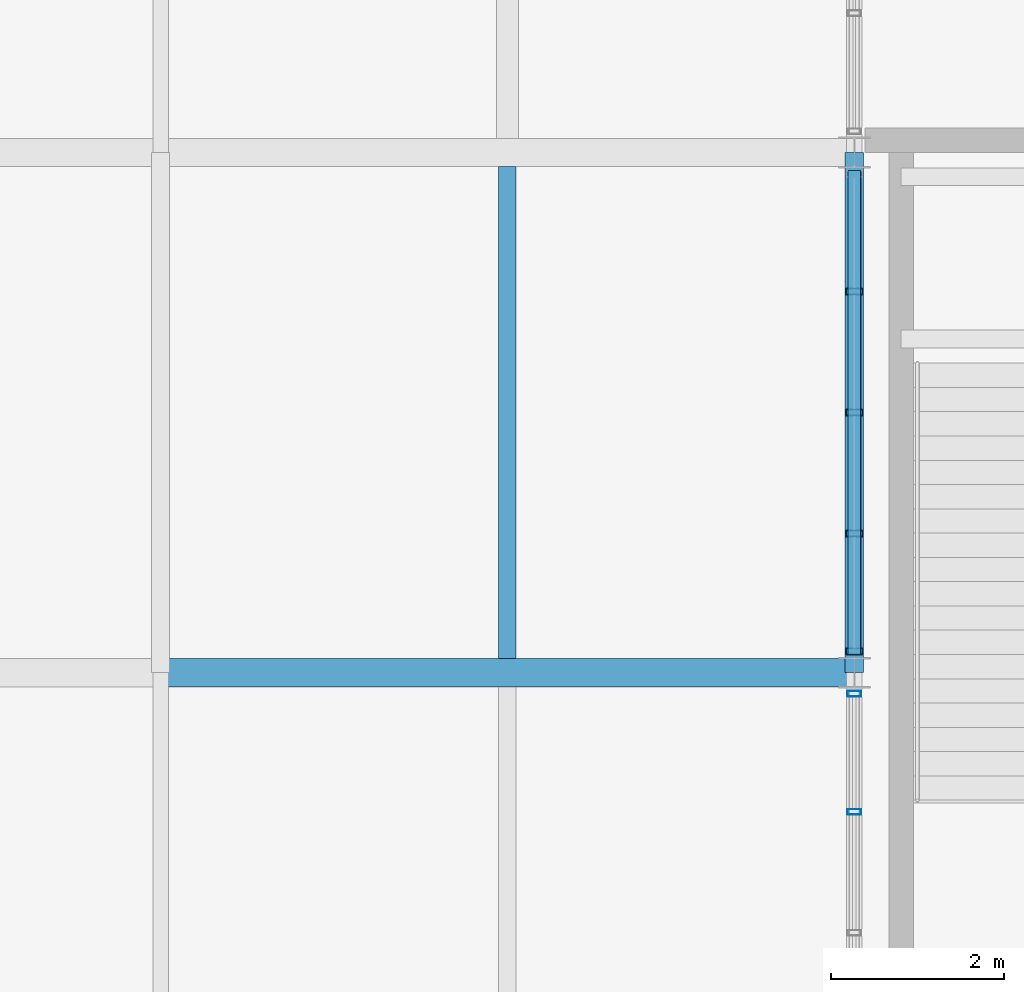
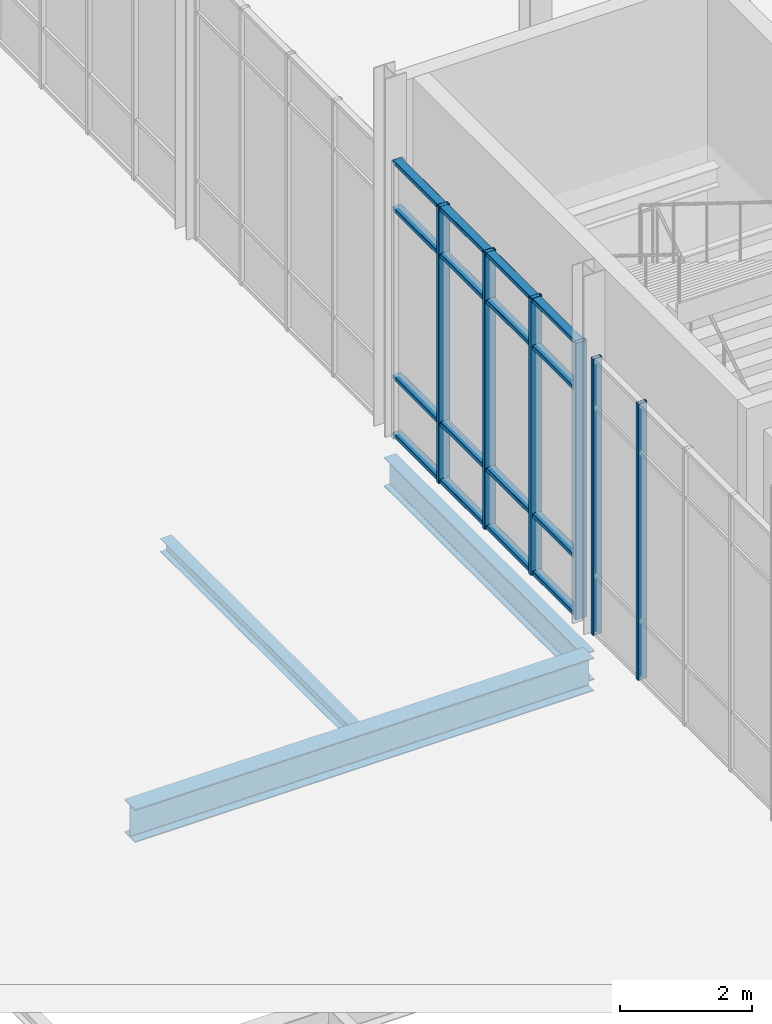
# One storey, part 72 of 140: 10 members, 3 beams, 2 elements without a shape of their own.
"""IFC4 building model written with IfcOpenShell, lengths in metres."""

import ifcopenshell
import ifcopenshell.guid

model = None  # the IFC model being written
_history = None  # IfcOwnerHistory: only IFC2X3 demands one
_inside = {}  # id of a spatial element -> (the spatial element, [elements in it])
_under = {}  # id of a project, library or spatial element -> (it, [spatial elements below it])
_declared = {}  # id of a project -> (the project, [libraries it declares])
_typed = {}  # id of a type object -> (the type object, [elements of that type])
_made_of = {}  # id of a material, layer set ... -> (it, [elements and type objects made of it])


def new_model(schema):
    """Start an empty IFC model of exactly this schema.

    Asked for "IFC4X3", IfcOpenShell would pick the latest addendum, in which some entities
    have other attributes; the version numbers below select the first issue.
    IFC2X3 requires an IfcOwnerHistory on every rooted entity: one is made here for all.
    """
    global model, _history
    if schema == "IFC4X3":
        model = ifcopenshell.file(schema_version=(4, 3, 0, 0))
    else:
        model = ifcopenshell.file(schema=schema)
    _inside.clear()
    _under.clear()
    _declared.clear()
    _typed.clear()
    _made_of.clear()
    _history = None
    if model.schema == "IFC2X3":
        org = make("IfcOrganization", Name="unknown")
        user = make(
            "IfcPersonAndOrganization",
            ThePerson=make("IfcPerson", FamilyName="unknown"),
            TheOrganization=org,
        )
        app = make(
            "IfcApplication",
            ApplicationDeveloper=org,
            Version="unknown",
            ApplicationFullName="unknown",
            ApplicationIdentifier="unknown",
        )
        _history = make(
            "IfcOwnerHistory",
            OwningUser=user,
            OwningApplication=app,
            ChangeAction="ADDED",
            CreationDate=0,
        )
    return model


def make(cls, **values):
    """One entity of the class cls with the attributes given. An attribute that is None is left unset."""
    return model.create_entity(
        cls, **{name: value for name, value in values.items() if value is not None}
    )


def rooted(cls, **values):
    """An entity with a GlobalId (a new one), such as an element, a storey or a relation."""
    return make(cls, GlobalId=ifcopenshell.guid.new(), OwnerHistory=_history, **values)


def si_unit(unit_type, name, prefix=None):
    """IfcSIUnit, for example si_unit("LENGTHUNIT", "METRE", prefix="MILLI")."""
    return make("IfcSIUnit", UnitType=unit_type, Prefix=prefix, Name=name)


def assignment(units):
    """IfcUnitAssignment: the units of a project."""
    return None if units is None else make("IfcUnitAssignment", Units=units)


def point(xyz):
    """IfcCartesianPoint."""
    return None if xyz is None else make("IfcCartesianPoint", Coordinates=xyz)


def direction(xyz):
    """IfcDirection."""
    return None if xyz is None else make("IfcDirection", DirectionRatios=xyz)


def frame(location, z_axis=None, x_axis=None):
    """IfcAxis2Placement3D, a coordinate frame: its origin and axes. An axis left out is left unset."""
    return make(
        "IfcAxis2Placement3D",
        Location=point(location),
        Axis=direction(z_axis),
        RefDirection=direction(x_axis),
    )


def frame_2d(location, x_axis=None):
    """IfcAxis2Placement2D, a coordinate frame in the plane: its origin and x axis."""
    return make(
        "IfcAxis2Placement2D", Location=point(location), RefDirection=direction(x_axis)
    )


def origin():
    """The frame at (0, 0, 0) with its axes left unset."""
    return frame((0.0, 0.0, 0.0))


def origin_2d():
    """The frame at (0, 0) in the plane with its x axis left unset."""
    return frame_2d((0.0, 0.0))


def place(relative_to, where):
    """IfcLocalPlacement: puts the frame where relative to a parent placement (None: the world)."""
    return make(
        "IfcLocalPlacement", PlacementRelTo=relative_to, RelativePlacement=where
    )


def context(
    kind, dimensions, precision=None, world=None, true_north=None, identifier=None
):
    """IfcGeometricRepresentationContext, for example the 3D "Model" context."""
    return make(
        "IfcGeometricRepresentationContext",
        ContextIdentifier=identifier,
        ContextType=kind,
        CoordinateSpaceDimension=dimensions,
        Precision=precision,
        WorldCoordinateSystem=world,
        TrueNorth=true_north,
    )


def subcontext(parent, identifier, kind, view, scale=None):
    """IfcGeometricRepresentationSubContext, for example "Body" below "Model"."""
    return make(
        "IfcGeometricRepresentationSubContext",
        ContextIdentifier=identifier,
        ContextType=kind,
        ParentContext=parent,
        TargetScale=scale,
        TargetView=view,
    )


def project(units=None, contexts=None):
    """IfcProject with its units and contexts."""
    return rooted(
        "IfcProject",
        Name="project",
        RepresentationContexts=contexts,
        UnitsInContext=assignment(units),
    )


def spatial(cls, under=None, at=None, **own):
    """A site, building, storey or space (cls), placed at a placement, below another one or the project."""
    s = rooted(cls, ObjectPlacement=at, **own)
    if under is not None:
        _under.setdefault(under.id(), (under, []))[1].append(s)
    return s


def profile(cls, at=None, kind="AREA", **sizes):
    """A parametric profile (cls). Its sizes go by their IFC names, for example OverallWidth=200.0."""
    return make(cls, ProfileType=kind, Position=at, **sizes)


def hollow_rectangle(**sizes):
    """IfcRectangleHollowProfileDef."""
    return profile("IfcRectangleHollowProfileDef", **sizes)


def i_section(**sizes):
    """IfcIShapeProfileDef."""
    return profile("IfcIShapeProfileDef", **sizes)


def extrude(swept, where, along, depth):
    """IfcExtrudedAreaSolid: the profile swept, set in the frame where, extruded along a direction by depth."""
    return make(
        "IfcExtrudedAreaSolid",
        SweptArea=swept,
        Position=where,
        ExtrudedDirection=direction(along),
        Depth=depth,
    )


def shape(context_of_items, identifier, shape_type, items):
    """IfcShapeRepresentation: the items that make up one representation, for example the "Body"."""
    return make(
        "IfcShapeRepresentation",
        ContextOfItems=context_of_items,
        RepresentationIdentifier=identifier,
        RepresentationType=shape_type,
        Items=items,
    )


def material(Name=None, Category=None):
    """IfcMaterial."""
    return make("IfcMaterial", Name=Name, Category=Category)


def material_profile(
    of_material, cross_section, Name=None, Category=None, Priority=None
):
    """IfcMaterialProfile: a cross section and its material."""
    return make(
        "IfcMaterialProfile",
        Name=Name,
        Material=of_material,
        Profile=cross_section,
        Priority=Priority,
        Category=Category,
    )


def profile_set(profiles, Name=None, composite=None):
    """IfcMaterialProfileSet."""
    return make(
        "IfcMaterialProfileSet",
        Name=Name,
        MaterialProfiles=profiles,
        CompositeProfile=composite,
    )


def made_of(thing, what):
    """Note that an element or type object is made of a material, layer set ...; save() writes the relation."""
    if what is not None:
        _made_of.setdefault(what.id(), (what, []))[1].append(thing)
    return thing


def type_object(cls, material=None, **own):
    """A type object (cls), such as IfcWallType, which elements share."""
    return made_of(rooted(cls, **own), material)


def element(
    cls,
    number,
    at=None,
    inside=None,
    cuts=None,
    type_object=None,
    material=None,
    context=None,
    identifier="Body",
    shape_type=None,
    held_by="IfcProductDefinitionShape",
    body=None,
    shapes=None,
    **own,
):
    """One element of the class cls, such as IfcWall. Its Tag is "e" and its number.

    at: its placement. inside: the storey or other place that contains it. cuts: it is an
    opening in that element (IfcRelVoidsElement). A single representation is given by context,
    identifier, shape_type and body (its items); several are given by shapes. held_by: the class
    of the entity that holds the representations. save() writes the other relations.
    """
    e = rooted(cls, Tag="e%d" % number, ObjectPlacement=at, **own)
    if body is not None:
        shapes = [shape(context, identifier, shape_type, body)]
    if shapes is not None:
        e.Representation = make(held_by, Representations=shapes)
    if inside is not None:
        _inside.setdefault(inside.id(), (inside, []))[1].append(e)
    if cuts is not None:
        rooted(
            "IfcRelVoidsElement", RelatingBuildingElement=cuts, RelatedOpeningElement=e
        )
    if type_object is not None:
        _typed.setdefault(type_object.id(), (type_object, []))[1].append(e)
    return made_of(e, material)


def aggregate(whole, parts):
    """IfcRelAggregates: a whole, such as a stair, and the parts it consists of."""
    return rooted("IfcRelAggregates", RelatingObject=whole, RelatedObjects=parts)


def save(model, path):
    """Write the relations noted so far, then the file.

    IfcRelAggregates (storeys below a building ...), IfcRelContainedInSpatialStructure (elements
    in a storey), IfcRelDefinesByType, IfcRelAssociatesMaterial and IfcRelDeclares: one each for
    every whole, place, type object, material and project.
    """
    for whole, parts in _under.values():
        aggregate(whole, parts)
    for where, things in _inside.values():
        rooted(
            "IfcRelContainedInSpatialStructure",
            RelatedElements=things,
            RelatingStructure=where,
        )
    for kind, things in _typed.values():
        rooted("IfcRelDefinesByType", RelatedObjects=things, RelatingType=kind)
    for what, things in _made_of.values():
        rooted("IfcRelAssociatesMaterial", RelatedObjects=things, RelatingMaterial=what)
    for by, libraries in _declared.values():
        rooted("IfcRelDeclares", RelatingContext=by, RelatedDefinitions=libraries)
    model.write(path)


model = new_model("IFC4")

# Units and contexts
model_context = context("Model", 3, precision=1e-05, world=origin(), true_north=direction((0.0, 1.0)))
body_context = subcontext(model_context, "Body", "Model", "MODEL_VIEW")
ifc_project = project(units=[si_unit("LENGTHUNIT", "METRE"), si_unit("AREAUNIT", "SQUARE_METRE"), si_unit("VOLUMEUNIT", "CUBIC_METRE"), si_unit("PLANEANGLEUNIT", "RADIAN"), si_unit("MASSUNIT", "GRAM", prefix="KILO")], contexts=[model_context])

# Site, building, storey
site_placement = place(None, origin())
site = spatial("IfcSite", under=ifc_project, at=site_placement, CompositionType="ELEMENT")
building_placement = place(site_placement, origin())
building = spatial("IfcBuilding", under=site, at=building_placement, Name="Verrall Gate Interchange", CompositionType="ELEMENT")
storey_placement = place(building_placement, origin())
storey = spatial("IfcBuildingStorey", under=building, at=storey_placement, Name="L01", CompositionType="ELEMENT", Elevation=0.0)

# Beams
ifc_material_1 = material(Name="Structural Steel CSA G40.21 350WT Cat 4", Category="steel")
ifc_material_profile_1 = material_profile(ifc_material_1, i_section(OverallWidth=0.323974609375, OverallDepth=0.611083984375, WebThickness=0.0126953125, FlangeThickness=0.01904296875, FilletRadius=0.014892578125, at=origin_2d()), Name="W610x155")
ifc_profile_set_1 = profile_set([ifc_material_profile_1], Name="Structural Steel CSA G40.21 350WT Cat 4")
beam_type_1 = type_object("IfcBeamType", Name="B-08 Structural Beam W610x155", PredefinedType="BEAM", material=ifc_profile_set_1)
beam_1_placement = place(storey_placement, frame((124.0, 22.0, -0.805419921875), z_axis=(1.0, 0.0, 0.0), x_axis=(0.0, 1.0, 0.0)))
element("IfcBeam", 1, at=beam_1_placement, inside=storey, type_object=beam_type_1, Name="L01 Girder BM-L01-0819 (B-08)", PredefinedType="BEAM", context=body_context, shape_type="SweptSolid", body=[
    extrude(i_section(OverallWidth=0.323974609375, OverallDepth=0.611083984375, WebThickness=0.0126953125, FlangeThickness=0.01904296875, FilletRadius=0.014892578125, at=origin_2d()), origin(), (0.0, 0.0, 1.0), 8.0),
])
ifc_material_2 = material(Name="Structural Steel CSA G40.21 350W", Category="steel")
ifc_material_profile_2 = material_profile(ifc_material_2, i_section(OverallWidth=0.2109375, OverallDepth=0.5390625, WebThickness=0.01171875, FlangeThickness=0.018798828125, FilletRadius=0.013916015625, at=origin_2d()), Name="W530x109")
ifc_profile_set_2 = profile_set([ifc_material_profile_2], Name="Structural Steel CSA G40.21 350W")
beam_type_2 = type_object("IfcBeamType", Name="B-10 Structural Beam W530x109", PredefinedType="BEAM", material=ifc_profile_set_2)
beam_2_placement = place(storey_placement, frame((132.0, 22.0, -0.76953125), z_axis=(0.0, 1.0, 0.0), x_axis=(-1.0, 0.0, 0.0)))
element("IfcBeam", 2, at=beam_2_placement, inside=storey, type_object=beam_type_2, Name="L01 Girder BM-L01-1197 (B-10)", PredefinedType="BEAM", context=body_context, shape_type="SweptSolid", body=[
    extrude(i_section(OverallWidth=0.2109375, OverallDepth=0.5390625, WebThickness=0.01171875, FlangeThickness=0.018798828125, FilletRadius=0.013916015625, at=origin_2d()), origin(), (0.0, 0.0, 1.0), 6.0),
])

# Curtain wall, members
ifc_material_3 = material(Name="Thermally Broken Anodized Aluminium Curtain Wall Framing", Category="aluminium")
curtain_wall_type = type_object("IfcCurtainWallType", Name="CW-04 Unitized Curtain Wall 5631x5100", PredefinedType="NOTDEFINED", material=ifc_material_3)
curtain_wall_1_placement = place(storey_placement, origin())
curtain_wall_1 = element("IfcCurtainWall", 3, at=curtain_wall_1_placement, inside=storey, type_object=curtain_wall_type, Name="L01 Unitized Curtain Wall CW-L01-050", PredefinedType="NOTDEFINED")
ifc_material_4 = material(Name="Thermally Broken Anodized Aluminium Curtain Wall Framing", Category="aluminium")
ifc_material_profile_3 = material_profile(ifc_material_4, hollow_rectangle(XDim=0.06494140625, YDim=0.159912109375, WallThickness=0.00390625, InnerFilletRadius=0.00390625, OuterFilletRadius=0.008056640625, at=origin_2d()), Name="CWM160x65x4")
ifc_profile_set_3 = profile_set([ifc_material_profile_3], Name="Thermally Broken Anodized Aluminium Curtain Wall Framing")
member_type_1 = type_object("IfcMemberType", Name="CM-01 Curtain Mullion CWM160x65x4", PredefinedType="MULLION", material=ifc_profile_set_3)
member_1_placement = place(storey_placement, frame((132.0, 21.757568359375, 0.0), z_axis=(0.0, 0.0, 1.0), x_axis=(0.0, -1.0, 0.0)))
member_1 = element("IfcMember", 4, at=member_1_placement, type_object=member_type_1, Name="CW-L01-050 Mullion 1", PredefinedType="MULLION", context=body_context, shape_type="SweptSolid", body=[
    extrude(hollow_rectangle(XDim=0.06494140625, YDim=0.159912109375, WallThickness=0.00390625, InnerFilletRadius=0.00390625, OuterFilletRadius=0.008056640625, at=origin_2d()), origin(), (0.0, 0.0, 1.0), 5.10009765625),
])
member_2_placement = place(storey_placement, frame((132.0, 20.39501953125, 0.0), z_axis=(0.0, 0.0, 1.0), x_axis=(0.0, -1.0, 0.0)))
member_2 = element("IfcMember", 5, at=member_2_placement, type_object=member_type_1, Name="CW-L01-050 Mullion 2", PredefinedType="MULLION", context=body_context, shape_type="SweptSolid", body=[
    extrude(hollow_rectangle(XDim=0.06494140625, YDim=0.159912109375, WallThickness=0.00390625, InnerFilletRadius=0.00390625, OuterFilletRadius=0.008056640625, at=origin_2d()), origin(), (0.0, 0.0, 1.0), 5.10009765625),
])
aggregate(curtain_wall_1, [member_1, member_2])

curtain_wall_2_placement = place(storey_placement, origin())
curtain_wall_2 = element("IfcCurtainWall", 6, at=curtain_wall_2_placement, inside=storey, type_object=curtain_wall_type, Name="L01 Unitized Curtain Wall CW-L01-049", PredefinedType="NOTDEFINED")
ifc_material_5 = material(Name="Thermally Broken Anodized Aluminium Curtain Wall Framing", Category="aluminium")
ifc_material_profile_4 = material_profile(ifc_material_5, hollow_rectangle(XDim=0.074951171875, YDim=0.199951171875, WallThickness=0.0048828125, InnerFilletRadius=0.0048828125, OuterFilletRadius=0.010009765625, at=origin_2d()), Name="CWM200x75x5")
ifc_profile_set_4 = profile_set([ifc_material_profile_4], Name="Thermally Broken Anodized Aluminium Curtain Wall Framing")
member_type_2 = type_object("IfcMemberType", Name="CM-02 Curtain Mullion CWM200x75x5", PredefinedType="MULLION", material=ifc_profile_set_4)
member_3_placement = place(storey_placement, frame((132.0, 26.39501953125, 0.0), z_axis=(0.0, 0.0, 1.0), x_axis=(0.0, -1.0, 0.0)))
member_3 = element("IfcMember", 7, at=member_3_placement, type_object=member_type_2, Name="CW-L01-049 Mullion 2", PredefinedType="MULLION", context=body_context, shape_type="SweptSolid", body=[
    extrude(hollow_rectangle(XDim=0.074951171875, YDim=0.199951171875, WallThickness=0.0048828125, InnerFilletRadius=0.0048828125, OuterFilletRadius=0.010009765625, at=origin_2d()), origin(), (0.0, 0.0, 1.0), 5.10009765625),
])
member_4_placement = place(storey_placement, frame((132.0, 25.0, 0.0), z_axis=(0.0, 0.0, 1.0), x_axis=(0.0, -1.0, 0.0)))
member_4 = element("IfcMember", 8, at=member_4_placement, type_object=member_type_2, Name="CW-L01-049 Mullion 3", PredefinedType="MULLION", context=body_context, shape_type="SweptSolid", body=[
    extrude(hollow_rectangle(XDim=0.074951171875, YDim=0.199951171875, WallThickness=0.0048828125, InnerFilletRadius=0.0048828125, OuterFilletRadius=0.010009765625, at=origin_2d()), origin(), (0.0, 0.0, 1.0), 5.10009765625),
])
member_5_placement = place(storey_placement, frame((132.0, 23.60498046875, 0.0), z_axis=(0.0, 0.0, 1.0), x_axis=(0.0, -1.0, 0.0)))
member_5 = element("IfcMember", 9, at=member_5_placement, type_object=member_type_2, Name="CW-L01-049 Mullion 4", PredefinedType="MULLION", context=body_context, shape_type="SweptSolid", body=[
    extrude(hollow_rectangle(XDim=0.074951171875, YDim=0.199951171875, WallThickness=0.0048828125, InnerFilletRadius=0.0048828125, OuterFilletRadius=0.010009765625, at=origin_2d()), origin(), (0.0, 0.0, 1.0), 5.10009765625),
])
member_6_placement = place(storey_placement, frame((132.0, 22.24755859375, 0.0), z_axis=(0.0, 0.0, 1.0), x_axis=(0.0, -1.0, 0.0)))
member_6 = element("IfcMember", 10, at=member_6_placement, type_object=member_type_2, Name="CW-L01-049 Mullion 5", PredefinedType="MULLION", context=body_context, shape_type="SweptSolid", body=[
    extrude(hollow_rectangle(XDim=0.074951171875, YDim=0.199951171875, WallThickness=0.0048828125, InnerFilletRadius=0.0048828125, OuterFilletRadius=0.010009765625, at=origin_2d()), origin(), (0.0, 0.0, 1.0), 5.10009765625),
])
ifc_material_6 = material(Name="Thermally Broken Anodized Aluminium Curtain Wall Framing", Category="aluminium")
ifc_material_profile_5 = material_profile(ifc_material_6, hollow_rectangle(XDim=0.14990234375, YDim=0.074951171875, WallThickness=0.00439453125, InnerFilletRadius=0.00439453125, OuterFilletRadius=0.009033203125, at=origin_2d()), Name="CWT150x75x4.5")
ifc_profile_set_5 = profile_set([ifc_material_profile_5], Name="Thermally Broken Anodized Aluminium Curtain Wall Framing")
member_type_3 = type_object("IfcMemberType", Name="CT-02 Curtain Transom CWT150x75x4.5", PredefinedType="USERDEFINED", material=ifc_profile_set_5)
member_7_placement = place(storey_placement, frame((132.0, 27.7900390625, 0.03759765625), z_axis=(0.0, -1.0, 0.0), x_axis=(1.0, 0.0, 0.0)))
member_7 = element("IfcMember", 11, at=member_7_placement, type_object=member_type_3, Name="CW-L01-049 Transom 1", ObjectType="TRANSOM", PredefinedType="USERDEFINED", context=body_context, shape_type="SweptSolid", body=[
    extrude(hollow_rectangle(XDim=0.14990234375, YDim=0.074951171875, WallThickness=0.00439453125, InnerFilletRadius=0.00439453125, OuterFilletRadius=0.009033203125, at=origin_2d()), origin(), (0.0, 0.0, 1.0), 5.580078125),
])
member_8_placement = place(storey_placement, frame((132.0, 27.7900390625, 1.10009765625), z_axis=(0.0, -1.0, 0.0), x_axis=(1.0, 0.0, 0.0)))
member_8 = element("IfcMember", 12, at=member_8_placement, type_object=member_type_3, Name="CW-L01-049 Transom 2", ObjectType="TRANSOM", PredefinedType="USERDEFINED", context=body_context, shape_type="SweptSolid", body=[
    extrude(hollow_rectangle(XDim=0.14990234375, YDim=0.074951171875, WallThickness=0.00439453125, InnerFilletRadius=0.00439453125, OuterFilletRadius=0.009033203125, at=origin_2d()), origin(), (0.0, 0.0, 1.0), 5.580078125),
])
member_9_placement = place(storey_placement, frame((132.0, 27.7900390625, 4.199951171875), z_axis=(0.0, -1.0, 0.0), x_axis=(1.0, 0.0, 0.0)))
member_9 = element("IfcMember", 13, at=member_9_placement, type_object=member_type_3, Name="CW-L01-049 Transom 3", ObjectType="TRANSOM", PredefinedType="USERDEFINED", context=body_context, shape_type="SweptSolid", body=[
    extrude(hollow_rectangle(XDim=0.14990234375, YDim=0.074951171875, WallThickness=0.00439453125, InnerFilletRadius=0.00439453125, OuterFilletRadius=0.009033203125, at=origin_2d()), origin(), (0.0, 0.0, 1.0), 5.580078125),
])
member_10_placement = place(storey_placement, frame((132.0, 27.7900390625, 5.0625), z_axis=(0.0, -1.0, 0.0), x_axis=(1.0, 0.0, 0.0)))
member_10 = element("IfcMember", 14, at=member_10_placement, type_object=member_type_3, Name="CW-L01-049 Transom 4", ObjectType="TRANSOM", PredefinedType="USERDEFINED", context=body_context, shape_type="SweptSolid", body=[
    extrude(hollow_rectangle(XDim=0.14990234375, YDim=0.074951171875, WallThickness=0.00439453125, InnerFilletRadius=0.00439453125, OuterFilletRadius=0.009033203125, at=origin_2d()), origin(), (0.0, 0.0, 1.0), 5.580078125),
])
aggregate(curtain_wall_2, [member_3, member_4, member_5, member_6, member_7, member_8, member_9, member_10])

# Beam
ifc_material_7 = material(Name="Structural Steel CSA G40.21 350W", Category="steel")
ifc_material_profile_6 = material_profile(ifc_material_7, i_section(OverallWidth=0.201904296875, OverallDepth=0.2470703125, WebThickness=0.00732421875, FlangeThickness=0.010986328125, FilletRadius=0.010986328125, at=origin_2d()), Name="W250x49")
ifc_profile_set_6 = profile_set([ifc_material_profile_6], Name="Structural Steel CSA G40.21 350W")
beam_type_3 = type_object("IfcBeamType", Name="J-06 Floor Joist W250x49", PredefinedType="JOIST", material=ifc_profile_set_6)
beam_3_placement = place(storey_placement, frame((128.0, 22.162109375, -0.62353515625), z_axis=(0.0, 1.0, 0.0), x_axis=(-1.0, 0.0, 0.0)))
element("IfcBeam", 15, at=beam_3_placement, inside=storey, type_object=beam_type_3, Name="L01 Secondary Floor Joist JST-L01-1320", PredefinedType="JOIST", context=body_context, shape_type="SweptSolid", body=[
    extrude(i_section(OverallWidth=0.201904296875, OverallDepth=0.2470703125, WebThickness=0.00732421875, FlangeThickness=0.010986328125, FilletRadius=0.010986328125, at=origin_2d()), origin(), (0.0, 0.0, 1.0), 5.67578125),
])

save(model, "model.ifc")
